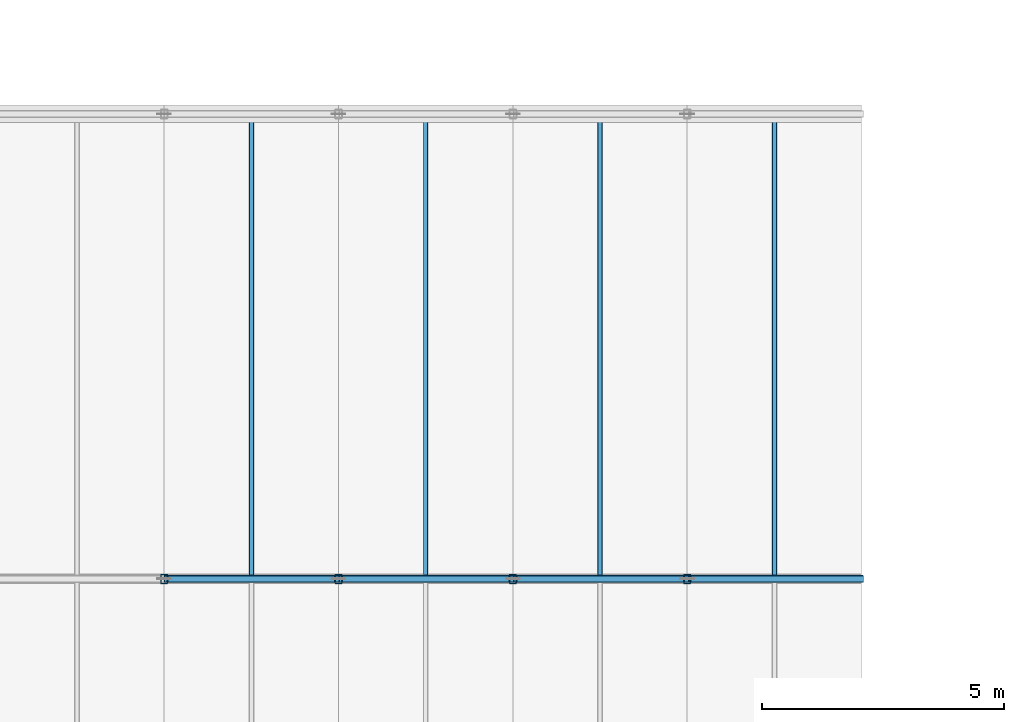
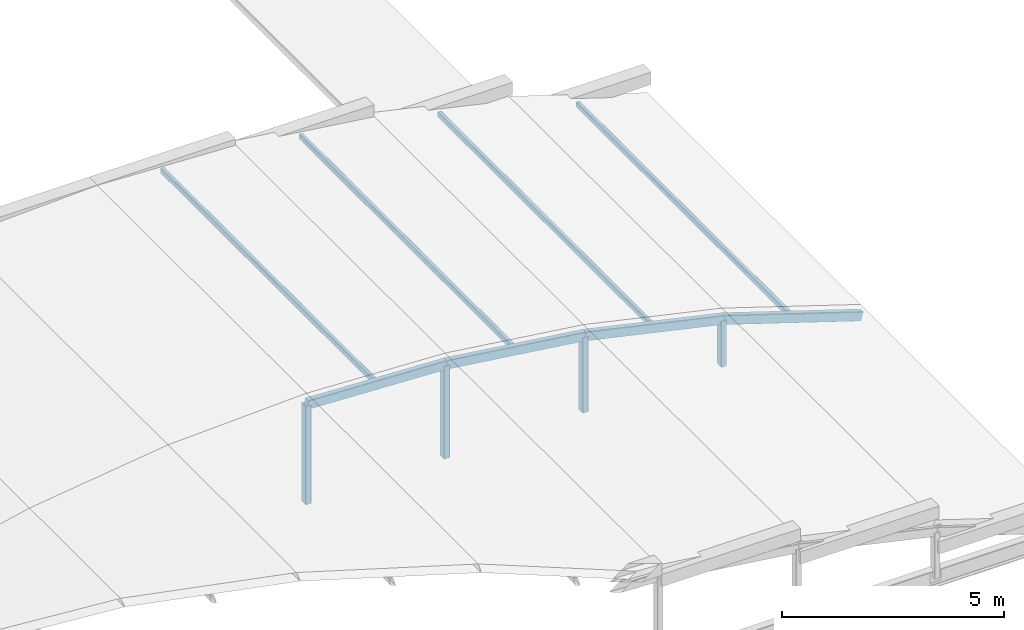
# One storey, part 11 of 70: 12 members.
"""IFC4 building model written with IfcOpenShell, lengths in metres."""

from ifc_helpers import new_model, si_unit, direction, frame, origin, origin_2d, place, context, subcontext, project, spatial, hollow_rectangle, extrude, material, material_profile, profile_set, type_object, element, save


model = new_model("IFC4")

# Units and contexts
model_context = context("Model", 3, precision=1e-05, world=origin(), true_north=direction((0.0, 1.0)))
body_context = subcontext(model_context, "Body", "Model", "MODEL_VIEW")
ifc_project = project(units=[si_unit("LENGTHUNIT", "METRE"), si_unit("AREAUNIT", "SQUARE_METRE"), si_unit("VOLUMEUNIT", "CUBIC_METRE"), si_unit("PLANEANGLEUNIT", "RADIAN"), si_unit("MASSUNIT", "GRAM", prefix="KILO")], contexts=[model_context])

# Site, building, storey
site_placement = place(None, origin())
site = spatial("IfcSite", under=ifc_project, at=site_placement, CompositionType="ELEMENT")
building_placement = place(site_placement, origin())
building = spatial("IfcBuilding", under=site, at=building_placement, Name="Mavantir Sound Aquarium", CompositionType="ELEMENT")
storey_placement = place(building_placement, frame((0.0, 0.0, 27.0)))
storey = spatial("IfcBuildingStorey", under=building, at=storey_placement, Name="RF", CompositionType="ELEMENT", Elevation=27.0)

# Members
ifc_material = material(Name="Hollow Structural Steel ASTM A500 GrC", Category="steel")
ifc_material_profile_1 = material_profile(ifc_material, hollow_rectangle(XDim=0.14990234375, YDim=0.25, WallThickness=0.010009765625, InnerFilletRadius=0.010009765625, OuterFilletRadius=0.02001953125, at=origin_2d()), Name="RHS 250X150X10")
ifc_profile_set_1 = profile_set([ifc_material_profile_1], Name="Hollow Structural Steel ASTM A500 GrC")
member_type_1 = type_object("IfcMemberType", Name="MEM-AR-RHS250", PredefinedType="CHORD", material=ifc_profile_set_1)
member_1_placement = place(storey_placement, frame((81.60009765625, 24.0, -14.030029296875), z_axis=(0.999041657314, 0.0, -0.043769475119), x_axis=(0.0, 1.0, 0.0)))
element("IfcMember", 1, at=member_1_placement, inside=storey, type_object=member_type_1, Name="V7 entry vault arch rib 73", PredefinedType="CHORD", context=body_context, shape_type="SweptSolid", body=[
    extrude(hollow_rectangle(XDim=0.14990234375, YDim=0.25, WallThickness=0.010009765625, InnerFilletRadius=0.010009765625, OuterFilletRadius=0.02001953125, at=origin_2d()), origin(), (0.0, 0.0, 1.0), 3.603271484375),
])
member_2_placement = place(storey_placement, frame((85.199951171875, 24.0, -14.187744140625), z_axis=(0.991351936589, 0.0, -0.131230094956), x_axis=(0.0, 1.0, 0.0)))
element("IfcMember", 2, at=member_2_placement, inside=storey, type_object=member_type_1, Name="V7 entry vault arch rib 75", PredefinedType="CHORD", context=body_context, shape_type="SweptSolid", body=[
    extrude(hollow_rectangle(XDim=0.14990234375, YDim=0.25, WallThickness=0.010009765625, InnerFilletRadius=0.010009765625, OuterFilletRadius=0.02001953125, at=origin_2d()), origin(), (0.0, 0.0, 1.0), 3.631591796875),
])
member_3_placement = place(storey_placement, frame((88.800048828125, 24.0, -14.664306640625), z_axis=(0.975760104728, 0.0, -0.218842907178), x_axis=(0.0, 1.0, 0.0)))
element("IfcMember", 3, at=member_3_placement, inside=storey, type_object=member_type_1, Name="V7 entry vault arch rib 77", PredefinedType="CHORD", context=body_context, shape_type="SweptSolid", body=[
    extrude(hollow_rectangle(XDim=0.14990234375, YDim=0.25, WallThickness=0.010009765625, InnerFilletRadius=0.010009765625, OuterFilletRadius=0.02001953125, at=origin_2d()), origin(), (0.0, 0.0, 1.0), 3.689208984375),
])
member_4_placement = place(storey_placement, frame((92.39990234375, 24.0, -15.4716796875), z_axis=(0.951949270462, 0.0, -0.306255753362), x_axis=(0.0, 1.0, 0.0)))
element("IfcMember", 4, at=member_4_placement, inside=storey, type_object=member_type_1, Name="V7 entry vault arch rib 79", PredefinedType="CHORD", context=body_context, shape_type="SweptSolid", body=[
    extrude(hollow_rectangle(XDim=0.14990234375, YDim=0.25, WallThickness=0.010009765625, InnerFilletRadius=0.010009765625, OuterFilletRadius=0.02001953125, at=origin_2d()), origin(), (0.0, 0.0, 1.0), 3.78173828125),
])
ifc_material_profile_2 = material_profile(ifc_material, hollow_rectangle(XDim=0.10009765625, YDim=0.14990234375, WallThickness=0.008056640625, InnerFilletRadius=0.008056640625, OuterFilletRadius=0.01611328125, at=origin_2d()), Name="RHS 150X100X8")
ifc_profile_set_2 = profile_set([ifc_material_profile_2], Name="Hollow Structural Steel ASTM A500 GrC")
member_type_2 = type_object("IfcMemberType", Name="MEM-BR-RHS150", PredefinedType="PURLIN", material=ifc_profile_set_2)
for number, where, z_axis, x_axis, name in (
    (5, (83.39990234375, 24.0, -14.061279296875), (0.0, 1.0, 0.0), (-1.0, 0.0, 0.0), "V7 entry vault purlin 109"),
    (6, (87.0, 24.0, -14.384033203125), (0.0, 1.0, 0.0), (-1.0, 0.0, 0.0), "V7 entry vault purlin 110"),
    (7, (90.60009765625, 24.0, -15.033203125), (0.0, 1.0, 0.0), (-1.0, 0.0, 0.0), "V7 entry vault purlin 111"),
    (8, (94.199951171875, 24.0, -16.02490234375), (0.0, 1.0, 0.0), (-1.0, 0.0, 0.0), "V7 entry vault purlin 112"),
):
    element("IfcMember", number, at=place(storey_placement, frame(where, z_axis=z_axis, x_axis=x_axis)), inside=storey, type_object=member_type_2, Name=name, PredefinedType="PURLIN", context=body_context, shape_type="SweptSolid", body=[
        extrude(hollow_rectangle(XDim=0.10009765625, YDim=0.14990234375, WallThickness=0.008056640625, InnerFilletRadius=0.008056640625, OuterFilletRadius=0.01611328125, at=origin_2d()), origin(), (0.0, 0.0, 1.0), 9.60009765625),
    ])
ifc_material_profile_3 = material_profile(ifc_material, hollow_rectangle(XDim=0.14990234375, YDim=0.199951171875, WallThickness=0.010009765625, InnerFilletRadius=0.010009765625, OuterFilletRadius=0.02001953125, at=origin_2d()), Name="RHS 200X150X10")
ifc_profile_set_3 = profile_set([ifc_material_profile_3], Name="Hollow Structural Steel ASTM A500 GrC")
member_type_3 = type_object("IfcMemberType", Name="MEM-BR-RHS200", PredefinedType="BRACE", material=ifc_profile_set_3)
member_5_placement = place(storey_placement, frame((81.60009765625, 24.0, -16.72998046875), z_axis=(0.0, 0.0, 1.0), x_axis=(1.0, 0.0, 0.0)))
element("IfcMember", 9, at=member_5_placement, inside=storey, type_object=member_type_3, Name="Steel truss web brace 74", PredefinedType="BRACE", context=body_context, shape_type="SweptSolid", body=[
    extrude(hollow_rectangle(XDim=0.14990234375, YDim=0.199951171875, WallThickness=0.010009765625, InnerFilletRadius=0.010009765625, OuterFilletRadius=0.02001953125, at=origin_2d()), origin(), (0.0, 0.0, 1.0), 2.699951171875),
])
member_6_placement = place(storey_placement, frame((85.199951171875, 24.0, -16.72998046875), z_axis=(0.0, 0.0, 1.0), x_axis=(1.0, 0.0, 0.0)))
element("IfcMember", 10, at=member_6_placement, inside=storey, type_object=member_type_3, Name="Steel truss web brace 76", PredefinedType="BRACE", context=body_context, shape_type="SweptSolid", body=[
    extrude(hollow_rectangle(XDim=0.14990234375, YDim=0.199951171875, WallThickness=0.010009765625, InnerFilletRadius=0.010009765625, OuterFilletRadius=0.02001953125, at=origin_2d()), origin(), (0.0, 0.0, 1.0), 2.542236328125),
])
member_7_placement = place(storey_placement, frame((88.800048828125, 24.0, -16.72998046875), z_axis=(0.0, 0.0, 1.0), x_axis=(1.0, 0.0, 0.0)))
element("IfcMember", 11, at=member_7_placement, inside=storey, type_object=member_type_3, Name="Steel truss web brace 78", PredefinedType="BRACE", context=body_context, shape_type="SweptSolid", body=[
    extrude(hollow_rectangle(XDim=0.14990234375, YDim=0.199951171875, WallThickness=0.010009765625, InnerFilletRadius=0.010009765625, OuterFilletRadius=0.02001953125, at=origin_2d()), origin(), (0.0, 0.0, 1.0), 2.065673828125),
])
member_8_placement = place(storey_placement, frame((92.39990234375, 24.0, -16.72998046875), z_axis=(0.0, 0.0, 1.0), x_axis=(1.0, 0.0, 0.0)))
element("IfcMember", 12, at=member_8_placement, inside=storey, type_object=member_type_3, Name="Steel truss web brace 80", PredefinedType="BRACE", context=body_context, shape_type="SweptSolid", body=[
    extrude(hollow_rectangle(XDim=0.14990234375, YDim=0.199951171875, WallThickness=0.010009765625, InnerFilletRadius=0.010009765625, OuterFilletRadius=0.02001953125, at=origin_2d()), origin(), (0.0, 0.0, 1.0), 1.25830078125),
])

save(model, "model.ifc")
